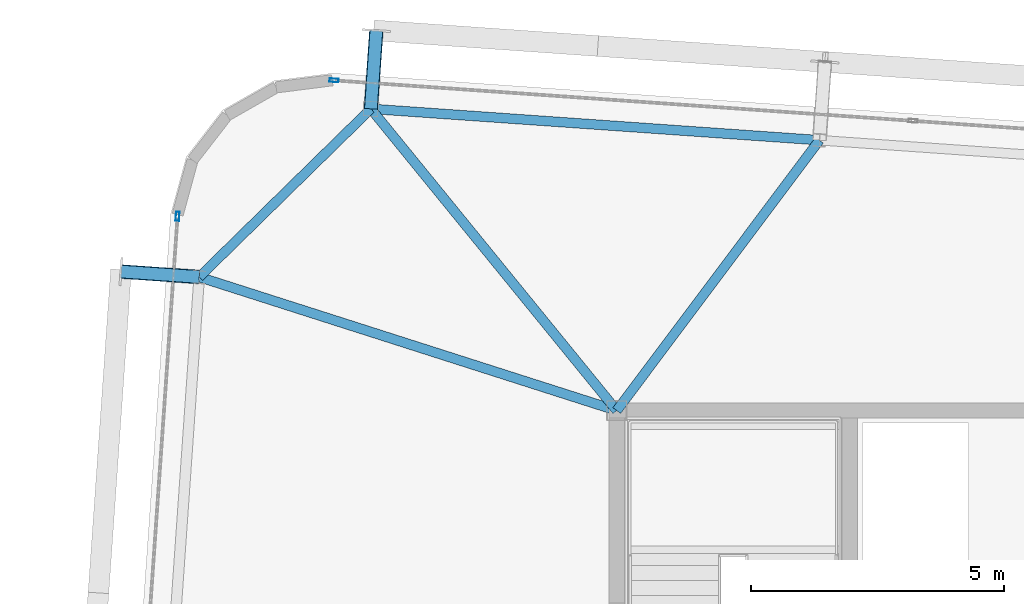
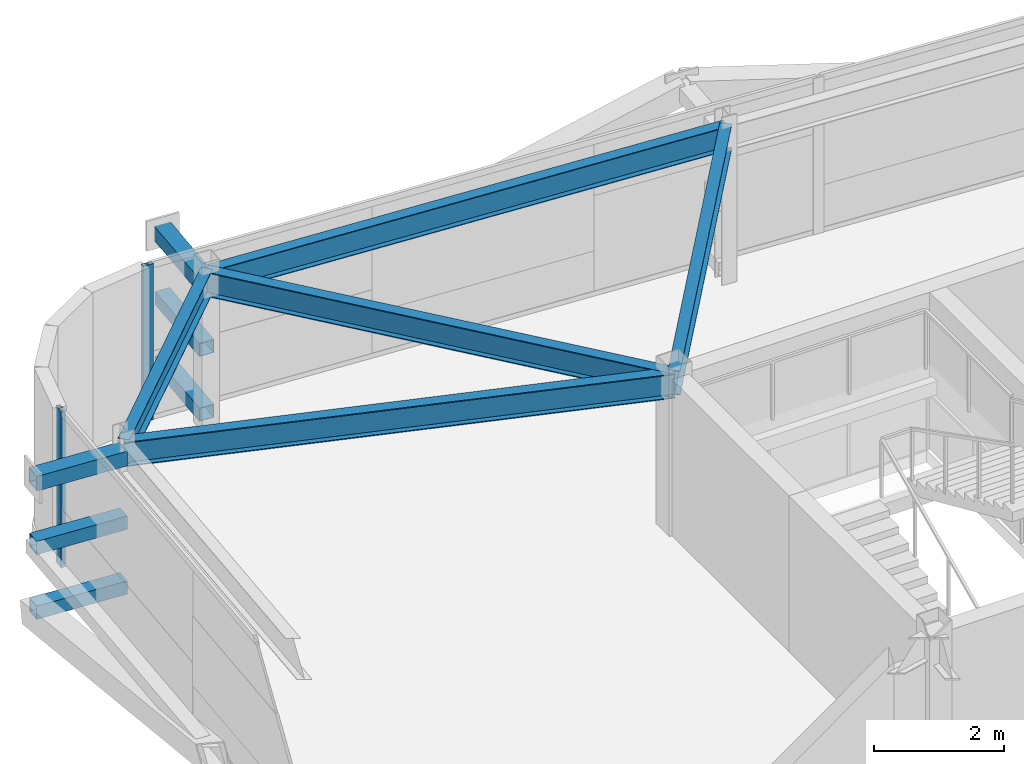
# One storey, part 19 of 39: 8 members, 5 beams, 2 elements without a shape of their own.
"""IFC4 building model written with IfcOpenShell, lengths in metres."""

from ifc_helpers import new_model, si_unit, direction, frame, origin, origin_2d, place, context, subcontext, project, spatial, hollow_rectangle, i_section, extrude, source, transform, mapped, material, layer, layer_set, material_profile, profile_set, type_object, element, aggregate, save


model = new_model("IFC4")

# Units and contexts
model_context = context("Model", 3, precision=1e-05, world=origin(), true_north=direction((0.0, 1.0)))
body_context = subcontext(model_context, "Body", "Model", "MODEL_VIEW")
ifc_project = project(units=[si_unit("LENGTHUNIT", "METRE"), si_unit("AREAUNIT", "SQUARE_METRE"), si_unit("VOLUMEUNIT", "CUBIC_METRE"), si_unit("PLANEANGLEUNIT", "RADIAN"), si_unit("MASSUNIT", "GRAM", prefix="KILO")], contexts=[model_context])

# Site, building, storey
site_placement = place(None, origin())
site = spatial("IfcSite", under=ifc_project, at=site_placement, CompositionType="ELEMENT")
building_placement = place(site_placement, origin())
building = spatial("IfcBuilding", under=site, at=building_placement, Name="Taldren Reach Tower", CompositionType="ELEMENT")
storey_placement = place(building_placement, frame((0.0, 0.0, 151.89990234375)))
storey = spatial("IfcBuildingStorey", under=building, at=storey_placement, Name="L46", CompositionType="ELEMENT", Elevation=151.89990234375)

# Members
ifc_material_1 = material(Name="Steel Gr 450 (C450L0)", Category="steel")
ifc_material_profile_1 = material_profile(ifc_material_1, hollow_rectangle(XDim=0.27490234375, YDim=0.27490234375, WallThickness=0.00927734375, at=origin_2d()), Name="275x275x9.3SHS")
ifc_profile_set_1 = profile_set([ifc_material_profile_1], Name="Steel Gr 450 (C450L0)")
member_type_1 = type_object("IfcMemberType", Name="MB-TIE273", PredefinedType="STRUT", material=ifc_profile_set_1)
shared_shape_1 = source(origin(), body_context, "Body", "SweptSolid", [
    extrude(hollow_rectangle(XDim=0.27490234375, YDim=0.27490234375, WallThickness=0.00927734375, at=origin_2d()), origin(), (0.0, 0.0, 1.0), 1.5498046875),
])
for number, where, z_axis, x_axis, name in (
    (1, (14.14453125, 37.958740234375, 2.650146484375), (0.069780535098, 0.997562367434, 0.0), (-0.997562367434, 0.069780535098, 0.0), "Exoskeleton diaphragm tie strut B3-N1 L46"),
    (2, (10.754638671875, 34.63720703125, 2.650146484375), (-0.997562367434, 0.069780535098, 0.0), (-0.069780535098, -0.997562367434, 0.0), "Exoskeleton diaphragm tie strut B3-W3 L46"),
):
    element("IfcMember", number, at=place(storey_placement, frame(where, z_axis=z_axis, x_axis=x_axis)), inside=storey, type_object=member_type_1, Name=name, PredefinedType="STRUT", context=body_context, shape_type="MappedRepresentation", body=[
        mapped(shared_shape_1, transform((0.0, 0.0, 0.0), scale=1.0)),
    ])
ifc_material_2 = material(Name="Steel Gr 350 (C350L0)", Category="steel")
ifc_material_profile_2 = material_profile(ifc_material_2, hollow_rectangle(XDim=0.25, YDim=0.25, WallThickness=0.010009765625, at=origin_2d()), Name="250x250x10.0SHS")
ifc_profile_set_2 = profile_set([ifc_material_profile_2], Name="Steel Gr 350 (C350L0)")
member_type_2 = type_object("IfcMemberType", Name="MB-POST250", PredefinedType="POST", material=ifc_profile_set_2)
shared_shape_2 = source(origin(), body_context, "Body", "SweptSolid", [
    extrude(hollow_rectangle(XDim=0.25, YDim=0.25, WallThickness=0.010009765625, at=origin_2d()), origin(), (0.0, 0.0, 1.0), 1.5498046875),
])
for number, where, z_axis, x_axis, name in (
    (3, (14.14453125, 37.958740234375, 0.22021484375), (0.069780535098, 0.997562367434, 0.0), (-0.997562367434, 0.069780535098, 0.0), "Exoskeleton base diaphragm tie strut B3-N1 L46"),
    (4, (10.754638671875, 34.63720703125, 0.22021484375), (-0.997562367434, 0.069780535098, 0.0), (-0.069780535098, -0.997562367434, 0.0), "Exoskeleton base diaphragm tie strut B3-W3 L46"),
    (5, (14.14453125, 37.958740234375, 1.43505859375), (0.069780535098, 0.997562367434, 0.0), (-0.997562367434, 0.069780535098, 0.0), "Exoskeleton mid-tier diaphragm tie B3-N1 L46"),
    (6, (10.754638671875, 34.63720703125, 1.43505859375), (-0.997562367434, 0.069780535098, 0.0), (-0.069780535098, -0.997562367434, 0.0), "Exoskeleton mid-tier diaphragm tie B3-W3 L46"),
):
    element("IfcMember", number, at=place(storey_placement, frame(where, z_axis=z_axis, x_axis=x_axis)), inside=storey, type_object=member_type_2, Name=name, PredefinedType="POST", context=body_context, shape_type="MappedRepresentation", body=[
        mapped(shared_shape_2, transform((0.0, 0.0, 0.0), scale=1.0)),
    ])

# Beams
ifc_material_3 = material(Name="Steel Gr 350 (350PLUS)", Category="steel")
ifc_material_profile_3 = material_profile(ifc_material_3, i_section(OverallWidth=0.18994140625, OverallDepth=0.4541015625, WebThickness=0.008544921875, FlangeThickness=0.0126953125, at=origin_2d()), Name="460UB67.1")
ifc_profile_set_3 = profile_set([ifc_material_profile_3], Name="Steel Gr 350 (350PLUS)")
beam_type_1 = type_object("IfcBeamType", Name="SP-UB460B", PredefinedType="SPANDREL", material=ifc_profile_set_3)
shared_shape_3 = source(origin(), body_context, "Body", "SweptSolid", [
    extrude(i_section(OverallWidth=0.18994140625, OverallDepth=0.4541015625, WebThickness=0.008544921875, FlangeThickness=0.0126953125, at=origin_2d()), origin(), (0.0, 0.0, 1.0), 8.880126953125),
])
beam_1_placement = place(storey_placement, frame((23.0029296875, 37.33935546875, 2.703125), z_axis=(-0.997564479639, 0.069750333063, 0.0), x_axis=(-0.069750333063, -0.997564479639, 0.0)))
element("IfcBeam", 7, at=beam_1_placement, inside=storey, type_object=beam_type_1, Name="Perimeter spandrel B3 N2-N1 L46", PredefinedType="SPANDREL", context=body_context, shape_type="MappedRepresentation", body=[
    mapped(shared_shape_3, transform((0.0, 0.0, 0.0), scale=1.0)),
])
shared_shape_4 = source(origin(), body_context, "Body", "SweptSolid", [
    extrude(i_section(OverallWidth=0.18994140625, OverallDepth=0.4541015625, WebThickness=0.008544921875, FlangeThickness=0.0126953125, at=origin_2d()), origin(), (0.0, 0.0, 1.0), 4.745849609375),
])
beam_2_placement = place(storey_placement, frame((14.14453125, 37.958740234375, 2.703125), z_axis=(-0.714271982806, -0.699868226581, 0.0), x_axis=(0.699868226581, -0.714271982806, 0.0)))
element("IfcBeam", 8, at=beam_2_placement, inside=storey, type_object=beam_type_1, Name="Perimeter spandrel B3 N1-W3 L46", PredefinedType="SPANDREL", context=body_context, shape_type="MappedRepresentation", body=[
    mapped(shared_shape_4, transform((0.0, 0.0, 0.0), scale=1.0)),
])
ifc_material_profile_4 = material_profile(ifc_material_3, i_section(OverallWidth=0.19091796875, OverallDepth=0.4599609375, WebThickness=0.010009765625, FlangeThickness=0.01611328125, at=origin_2d()), Name="460UB82.1")
ifc_profile_set_4 = profile_set([ifc_material_profile_4], Name="Steel Gr 350 (350PLUS)")
beam_type_2 = type_object("IfcBeamType", Name="BM-UB460A", PredefinedType="BEAM", material=ifc_profile_set_4)
shared_shape_5 = source(origin(), body_context, "Body", "SweptSolid", [
    extrude(i_section(OverallWidth=0.19091796875, OverallDepth=0.4599609375, WebThickness=0.010009765625, FlangeThickness=0.01611328125, at=origin_2d()), origin(), (0.0, 0.0, 1.0), 6.67333984375),
])
beam_3_placement = place(storey_placement, frame((19.0, 32.0, 2.7001953125), z_axis=(0.599847795508, 0.800114130749, 0.0), x_axis=(-0.800114130749, 0.599847795508, 0.0)))
element("IfcBeam", 9, at=beam_3_placement, inside=storey, type_object=beam_type_2, Name="Primary floor girder B3-N2 L46", PredefinedType="BEAM", context=body_context, shape_type="MappedRepresentation", body=[
    mapped(shared_shape_5, transform((0.0, 0.0, 0.0), scale=1.0)),
])
shared_shape_6 = source(origin(), body_context, "Body", "SweptSolid", [
    extrude(i_section(OverallWidth=0.19091796875, OverallDepth=0.4599609375, WebThickness=0.010009765625, FlangeThickness=0.01611328125, at=origin_2d()), origin(), (0.0, 0.0, 1.0), 7.6865234375),
])
beam_4_placement = place(storey_placement, frame((19.0, 32.0, 2.7001953125), z_axis=(-0.631688504871, 0.775222311866, 0.0), x_axis=(-0.775222311866, -0.631688504871, 0.0)))
element("IfcBeam", 10, at=beam_4_placement, inside=storey, type_object=beam_type_2, Name="Primary floor girder B3-N1 L46", PredefinedType="BEAM", context=body_context, shape_type="MappedRepresentation", body=[
    mapped(shared_shape_6, transform((0.0, 0.0, 0.0), scale=1.0)),
])
shared_shape_7 = source(origin(), body_context, "Body", "SweptSolid", [
    extrude(i_section(OverallWidth=0.19091796875, OverallDepth=0.4599609375, WebThickness=0.010009765625, FlangeThickness=0.01611328125, at=origin_2d()), origin(), (0.0, 0.0, 1.0), 8.65673828125),
])
beam_5_placement = place(storey_placement, frame((19.0, 32.0, 2.7001953125), z_axis=(-0.952468016288, 0.304638602195, 0.0), x_axis=(-0.304638602195, -0.952468016288, 0.0)))
element("IfcBeam", 11, at=beam_5_placement, inside=storey, type_object=beam_type_2, Name="Primary floor girder B3-W3 L46", PredefinedType="BEAM", context=body_context, shape_type="MappedRepresentation", body=[
    mapped(shared_shape_7, transform((0.0, 0.0, 0.0), scale=1.0)),
])

# Curtain wall, member
ifc_material_4 = material(Name="Aluminium and Low-E Glass Unitised System", Category="aluminium")
ifc_layer = layer(ifc_material_4, 0.159912109375)
ifc_layer_set = layer_set([ifc_layer], Name="Aluminium and Low-E Glass Unitised System")
curtain_wall_type = type_object("IfcCurtainWallType", Name="CW-SYS-4", PredefinedType="NOTDEFINED", material=ifc_layer_set)
curtain_wall_1_placement = place(storey_placement, origin())
curtain_wall_1 = element("IfcCurtainWall", 12, at=curtain_wall_1_placement, inside=storey, type_object=curtain_wall_type, Name="Unitised curtain wall CW-L46-N", PredefinedType="NOTDEFINED")
ifc_material_5 = material(Name="Anodised Aluminium 6063-T6", Category="aluminium")
ifc_material_profile_5 = material_profile(ifc_material_5, hollow_rectangle(XDim=0.070068359375, YDim=0.179931640625, WallThickness=0.00390625, at=origin_2d()), Name="ALU-180x70x4RHS")
ifc_profile_set_5 = profile_set([ifc_material_profile_5], Name="Anodised Aluminium 6063-T6")
member_type_3 = type_object("IfcMemberType", Name="CW-MUL-180", PredefinedType="MULLION", material=ifc_profile_set_5)
shared_shape_8 = source(origin(), body_context, "Body", "SweptSolid", [
    extrude(hollow_rectangle(XDim=0.070068359375, YDim=0.179931640625, WallThickness=0.00390625, at=origin_2d()), origin(), (0.0, 0.0, 1.0), 2.93017578125),
])
member_1_placement = place(storey_placement, frame((13.4169921875, 38.52099609375, 0.0), z_axis=(0.0, 0.0, 1.0), x_axis=(-0.06975651593, -0.99756404731, 0.0)))
member_1 = element("IfcMember", 13, at=member_1_placement, type_object=member_type_3, Name="CW-4 mullion 5", PredefinedType="MULLION", context=body_context, shape_type="MappedRepresentation", body=[
    mapped(shared_shape_8, transform((0.0, 0.0, 0.0), scale=1.0)),
])
aggregate(curtain_wall_1, [member_1])

curtain_wall_2_placement = place(storey_placement, origin())
curtain_wall_2 = element("IfcCurtainWall", 14, at=curtain_wall_2_placement, inside=storey, type_object=curtain_wall_type, Name="Unitised curtain wall CW-L46-W", PredefinedType="NOTDEFINED")
member_2_placement = place(storey_placement, frame((10.3271484375, 35.8349609375, 0.0), z_axis=(0.0, 0.0, 1.0), x_axis=(0.997564052812, -0.069756437251, 0.0)))
member_2 = element("IfcMember", 15, at=member_2_placement, type_object=member_type_3, Name="CW-4 mullion 1", PredefinedType="MULLION", context=body_context, shape_type="MappedRepresentation", body=[
    mapped(shared_shape_8, transform((0.0, 0.0, 0.0), scale=1.0)),
])
aggregate(curtain_wall_2, [member_2])

save(model, "model.ifc")
